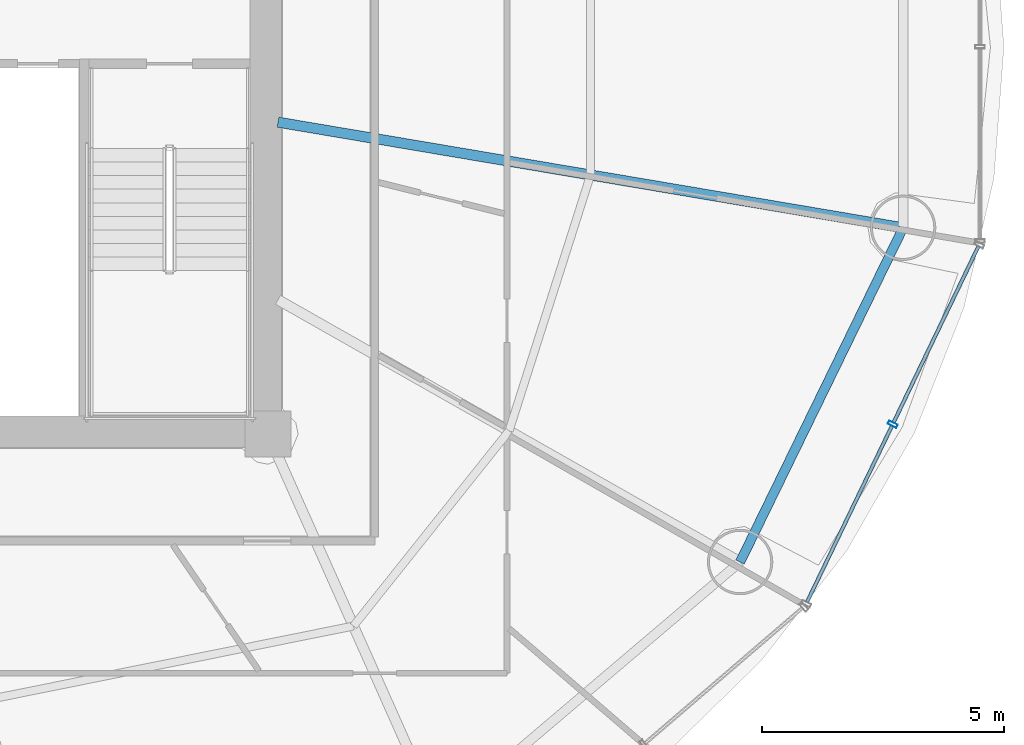
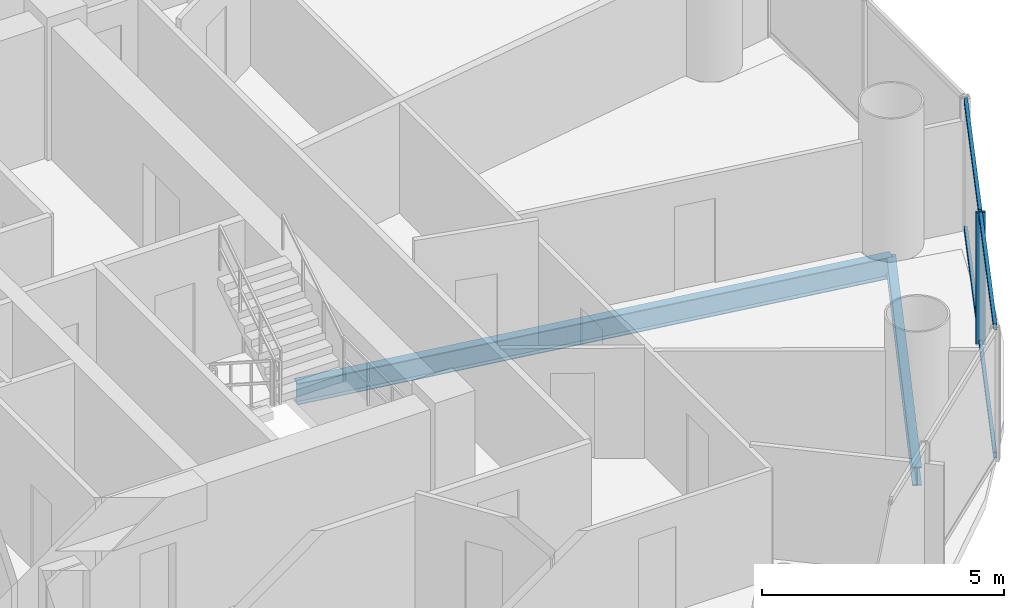
# One storey, part 11 of 26: 5 members, 2 beams, 1 element without a shape of its own.
"""IFC4 building model written with IfcOpenShell, lengths in metres."""

import ifcopenshell
import ifcopenshell.guid

model = None  # the IFC model being written
_history = None  # IfcOwnerHistory: only IFC2X3 demands one
_inside = {}  # id of a spatial element -> (the spatial element, [elements in it])
_under = {}  # id of a project, library or spatial element -> (it, [spatial elements below it])
_declared = {}  # id of a project -> (the project, [libraries it declares])
_typed = {}  # id of a type object -> (the type object, [elements of that type])
_made_of = {}  # id of a material, layer set ... -> (it, [elements and type objects made of it])


def new_model(schema):
    """Start an empty IFC model of exactly this schema.

    Asked for "IFC4X3", IfcOpenShell would pick the latest addendum, in which some entities
    have other attributes; the version numbers below select the first issue.
    IFC2X3 requires an IfcOwnerHistory on every rooted entity: one is made here for all.
    """
    global model, _history
    if schema == "IFC4X3":
        model = ifcopenshell.file(schema_version=(4, 3, 0, 0))
    else:
        model = ifcopenshell.file(schema=schema)
    _inside.clear()
    _under.clear()
    _declared.clear()
    _typed.clear()
    _made_of.clear()
    _history = None
    if model.schema == "IFC2X3":
        org = make("IfcOrganization", Name="unknown")
        user = make(
            "IfcPersonAndOrganization",
            ThePerson=make("IfcPerson", FamilyName="unknown"),
            TheOrganization=org,
        )
        app = make(
            "IfcApplication",
            ApplicationDeveloper=org,
            Version="unknown",
            ApplicationFullName="unknown",
            ApplicationIdentifier="unknown",
        )
        _history = make(
            "IfcOwnerHistory",
            OwningUser=user,
            OwningApplication=app,
            ChangeAction="ADDED",
            CreationDate=0,
        )
    return model


def make(cls, **values):
    """One entity of the class cls with the attributes given. An attribute that is None is left unset."""
    return model.create_entity(
        cls, **{name: value for name, value in values.items() if value is not None}
    )


def rooted(cls, **values):
    """An entity with a GlobalId (a new one), such as an element, a storey or a relation."""
    return make(cls, GlobalId=ifcopenshell.guid.new(), OwnerHistory=_history, **values)


def si_unit(unit_type, name, prefix=None):
    """IfcSIUnit, for example si_unit("LENGTHUNIT", "METRE", prefix="MILLI")."""
    return make("IfcSIUnit", UnitType=unit_type, Prefix=prefix, Name=name)


def assignment(units):
    """IfcUnitAssignment: the units of a project."""
    return None if units is None else make("IfcUnitAssignment", Units=units)


def point(xyz):
    """IfcCartesianPoint."""
    return None if xyz is None else make("IfcCartesianPoint", Coordinates=xyz)


def direction(xyz):
    """IfcDirection."""
    return None if xyz is None else make("IfcDirection", DirectionRatios=xyz)


def frame(location, z_axis=None, x_axis=None):
    """IfcAxis2Placement3D, a coordinate frame: its origin and axes. An axis left out is left unset."""
    return make(
        "IfcAxis2Placement3D",
        Location=point(location),
        Axis=direction(z_axis),
        RefDirection=direction(x_axis),
    )


def frame_2d(location, x_axis=None):
    """IfcAxis2Placement2D, a coordinate frame in the plane: its origin and x axis."""
    return make(
        "IfcAxis2Placement2D", Location=point(location), RefDirection=direction(x_axis)
    )


def origin():
    """The frame at (0, 0, 0) with its axes left unset."""
    return frame((0.0, 0.0, 0.0))


def origin_2d():
    """The frame at (0, 0) in the plane with its x axis left unset."""
    return frame_2d((0.0, 0.0))


def place(relative_to, where):
    """IfcLocalPlacement: puts the frame where relative to a parent placement (None: the world)."""
    return make(
        "IfcLocalPlacement", PlacementRelTo=relative_to, RelativePlacement=where
    )


def context(
    kind, dimensions, precision=None, world=None, true_north=None, identifier=None
):
    """IfcGeometricRepresentationContext, for example the 3D "Model" context."""
    return make(
        "IfcGeometricRepresentationContext",
        ContextIdentifier=identifier,
        ContextType=kind,
        CoordinateSpaceDimension=dimensions,
        Precision=precision,
        WorldCoordinateSystem=world,
        TrueNorth=true_north,
    )


def subcontext(parent, identifier, kind, view, scale=None):
    """IfcGeometricRepresentationSubContext, for example "Body" below "Model"."""
    return make(
        "IfcGeometricRepresentationSubContext",
        ContextIdentifier=identifier,
        ContextType=kind,
        ParentContext=parent,
        TargetScale=scale,
        TargetView=view,
    )


def project(units=None, contexts=None):
    """IfcProject with its units and contexts."""
    return rooted(
        "IfcProject",
        Name="project",
        RepresentationContexts=contexts,
        UnitsInContext=assignment(units),
    )


def spatial(cls, under=None, at=None, **own):
    """A site, building, storey or space (cls), placed at a placement, below another one or the project."""
    s = rooted(cls, ObjectPlacement=at, **own)
    if under is not None:
        _under.setdefault(under.id(), (under, []))[1].append(s)
    return s


def profile(cls, at=None, kind="AREA", **sizes):
    """A parametric profile (cls). Its sizes go by their IFC names, for example OverallWidth=200.0."""
    return make(cls, ProfileType=kind, Position=at, **sizes)


def hollow_rectangle(**sizes):
    """IfcRectangleHollowProfileDef."""
    return profile("IfcRectangleHollowProfileDef", **sizes)


def i_section(**sizes):
    """IfcIShapeProfileDef."""
    return profile("IfcIShapeProfileDef", **sizes)


def extrude(swept, where, along, depth):
    """IfcExtrudedAreaSolid: the profile swept, set in the frame where, extruded along a direction by depth."""
    return make(
        "IfcExtrudedAreaSolid",
        SweptArea=swept,
        Position=where,
        ExtrudedDirection=direction(along),
        Depth=depth,
    )


def shape(context_of_items, identifier, shape_type, items):
    """IfcShapeRepresentation: the items that make up one representation, for example the "Body"."""
    return make(
        "IfcShapeRepresentation",
        ContextOfItems=context_of_items,
        RepresentationIdentifier=identifier,
        RepresentationType=shape_type,
        Items=items,
    )


def source(mapping_origin, context_of_items, identifier, shape_type, items):
    """IfcRepresentationMap: a shape defined once, which mapped items show again and again."""
    return make(
        "IfcRepresentationMap",
        MappingOrigin=mapping_origin,
        MappedRepresentation=shape(context_of_items, identifier, shape_type, items),
    )


def transform(
    local_origin,
    x_axis=None,
    y_axis=None,
    z_axis=None,
    scale=None,
    scale2=None,
    scale3=None,
    uniform=True,
):
    """IfcCartesianTransformationOperator3D, or its non-uniform kind. x_axis, y_axis, z_axis: its Axis1, 2, 3."""
    if uniform:
        return make(
            "IfcCartesianTransformationOperator3D",
            Axis1=direction(x_axis),
            Axis2=direction(y_axis),
            LocalOrigin=point(local_origin),
            Scale=scale,
            Axis3=direction(z_axis),
        )
    return make(
        "IfcCartesianTransformationOperator3DnonUniform",
        Axis1=direction(x_axis),
        Axis2=direction(y_axis),
        LocalOrigin=point(local_origin),
        Scale=scale,
        Axis3=direction(z_axis),
        Scale2=scale2,
        Scale3=scale3,
    )


def mapped(mapping_source, mapping_target):
    """IfcMappedItem: shows the shape of a source again, moved by a transform."""
    return make(
        "IfcMappedItem", MappingSource=mapping_source, MappingTarget=mapping_target
    )


def material(Name=None, Category=None):
    """IfcMaterial."""
    return make("IfcMaterial", Name=Name, Category=Category)


def material_profile(
    of_material, cross_section, Name=None, Category=None, Priority=None
):
    """IfcMaterialProfile: a cross section and its material."""
    return make(
        "IfcMaterialProfile",
        Name=Name,
        Material=of_material,
        Profile=cross_section,
        Priority=Priority,
        Category=Category,
    )


def profile_set(profiles, Name=None, composite=None):
    """IfcMaterialProfileSet."""
    return make(
        "IfcMaterialProfileSet",
        Name=Name,
        MaterialProfiles=profiles,
        CompositeProfile=composite,
    )


def made_of(thing, what):
    """Note that an element or type object is made of a material, layer set ...; save() writes the relation."""
    if what is not None:
        _made_of.setdefault(what.id(), (what, []))[1].append(thing)
    return thing


def type_object(cls, material=None, **own):
    """A type object (cls), such as IfcWallType, which elements share."""
    return made_of(rooted(cls, **own), material)


def element(
    cls,
    number,
    at=None,
    inside=None,
    cuts=None,
    type_object=None,
    material=None,
    context=None,
    identifier="Body",
    shape_type=None,
    held_by="IfcProductDefinitionShape",
    body=None,
    shapes=None,
    **own,
):
    """One element of the class cls, such as IfcWall. Its Tag is "e" and its number.

    at: its placement. inside: the storey or other place that contains it. cuts: it is an
    opening in that element (IfcRelVoidsElement). A single representation is given by context,
    identifier, shape_type and body (its items); several are given by shapes. held_by: the class
    of the entity that holds the representations. save() writes the other relations.
    """
    e = rooted(cls, Tag="e%d" % number, ObjectPlacement=at, **own)
    if body is not None:
        shapes = [shape(context, identifier, shape_type, body)]
    if shapes is not None:
        e.Representation = make(held_by, Representations=shapes)
    if inside is not None:
        _inside.setdefault(inside.id(), (inside, []))[1].append(e)
    if cuts is not None:
        rooted(
            "IfcRelVoidsElement", RelatingBuildingElement=cuts, RelatedOpeningElement=e
        )
    if type_object is not None:
        _typed.setdefault(type_object.id(), (type_object, []))[1].append(e)
    return made_of(e, material)


def aggregate(whole, parts):
    """IfcRelAggregates: a whole, such as a stair, and the parts it consists of."""
    return rooted("IfcRelAggregates", RelatingObject=whole, RelatedObjects=parts)


def save(model, path):
    """Write the relations noted so far, then the file.

    IfcRelAggregates (storeys below a building ...), IfcRelContainedInSpatialStructure (elements
    in a storey), IfcRelDefinesByType, IfcRelAssociatesMaterial and IfcRelDeclares: one each for
    every whole, place, type object, material and project.
    """
    for whole, parts in _under.values():
        aggregate(whole, parts)
    for where, things in _inside.values():
        rooted(
            "IfcRelContainedInSpatialStructure",
            RelatedElements=things,
            RelatingStructure=where,
        )
    for kind, things in _typed.values():
        rooted("IfcRelDefinesByType", RelatedObjects=things, RelatingType=kind)
    for what, things in _made_of.values():
        rooted("IfcRelAssociatesMaterial", RelatedObjects=things, RelatingMaterial=what)
    for by, libraries in _declared.values():
        rooted("IfcRelDeclares", RelatingContext=by, RelatedDefinitions=libraries)
    model.write(path)


model = new_model("IFC4")

# Units and contexts
model_context = context("Model", 3, precision=1e-05, world=origin(), true_north=direction((-0.2419218956, 0.970295726276)))
body_context = subcontext(model_context, "Body", "Model", "MODEL_VIEW")
ifc_project = project(units=[si_unit("LENGTHUNIT", "METRE"), si_unit("AREAUNIT", "SQUARE_METRE"), si_unit("VOLUMEUNIT", "CUBIC_METRE"), si_unit("PLANEANGLEUNIT", "RADIAN"), si_unit("MASSUNIT", "GRAM", prefix="KILO")], contexts=[model_context])

# Site, building, storey
site_placement = place(None, origin())
site = spatial("IfcSite", under=ifc_project, at=site_placement, CompositionType="ELEMENT")
building_placement = place(site_placement, origin())
building = spatial("IfcBuilding", under=site, at=building_placement, Name="Cobrevalo Terracotta Tower", CompositionType="ELEMENT")
storey_placement = place(building_placement, frame((0.0, 0.0, 142.60009765625)))
storey = spatial("IfcBuildingStorey", under=building, at=storey_placement, Name="L37", CompositionType="ELEMENT", Elevation=142.60009765625)

# Beams
ifc_material_1 = material(Name="Steel S355", Category="steel")
ifc_material_profile_1 = material_profile(ifc_material_1, i_section(OverallWidth=0.2109375, OverallDepth=0.5390625, WebThickness=0.01171875, FlangeThickness=0.018798828125, at=origin_2d()), Name="W 530x109")
ifc_profile_set_1 = profile_set([ifc_material_profile_1], Name="Steel S355")
beam_type_1 = type_object("IfcBeamType", Name="Structural Beam W 530x109 (Steel S355)", PredefinedType="BEAM", material=ifc_profile_set_1)
beam_1_placement = place(storey_placement, frame((60.11669921875, 23.06396484375, -0.53955078125), z_axis=(-0.986029732232, 0.166569406417, 0.0), x_axis=(-0.166569406417, -0.986029732232, 0.0)))
element("IfcBeam", 1, at=beam_1_placement, inside=storey, type_object=beam_type_1, Name="L37 radial floor girder 16", PredefinedType="BEAM", context=body_context, shape_type="SweptSolid", body=[
    extrude(i_section(OverallWidth=0.2109375, OverallDepth=0.5390625, WebThickness=0.01171875, FlangeThickness=0.018798828125, at=origin_2d()), origin(), (0.0, 0.0, 1.0), 13.094482421875),
])
ifc_material_profile_2 = material_profile(ifc_material_1, i_section(OverallWidth=0.194091796875, OverallDepth=0.468994140625, WebThickness=0.011474609375, FlangeThickness=0.0205078125, at=origin_2d()), Name="W 460x106")
ifc_profile_set_2 = profile_set([ifc_material_profile_2], Name="Steel S355")
beam_type_2 = type_object("IfcBeamType", Name="Structural Spandrel W 460x106 (Steel S355)", PredefinedType="SPANDREL", material=ifc_profile_set_2)
beam_2_placement = place(storey_placement, frame((56.749755859375, 16.160888671875, -0.504638671875), z_axis=(0.438380418332, 0.898789524206, 0.0), x_axis=(-0.898789524206, 0.438380418332, 0.0)))
element("IfcBeam", 2, at=beam_2_placement, inside=storey, type_object=beam_type_2, Name="L37 perimeter ring spandrel 15", PredefinedType="SPANDREL", context=body_context, shape_type="SweptSolid", body=[
    extrude(i_section(OverallWidth=0.194091796875, OverallDepth=0.468994140625, WebThickness=0.011474609375, FlangeThickness=0.0205078125, at=origin_2d()), origin(), (0.0, 0.0, 1.0), 7.680419921875),
])

# Curtain wall, members
ifc_material_2 = material(Name="Anodized aluminium", Category="aluminium")
curtain_wall_type = type_object("IfcCurtainWallType", Name="Mid-tower high-wind unitised curtain wall CW-U2", PredefinedType="NOTDEFINED", material=ifc_material_2)
curtain_wall_placement = place(storey_placement, origin())
curtain_wall = element("IfcCurtainWall", 3, at=curtain_wall_placement, inside=storey, type_object=curtain_wall_type, Name="L37 curtain wall CW-L37-S15", PredefinedType="NOTDEFINED")
ifc_material_profile_3 = material_profile(ifc_material_2, hollow_rectangle(XDim=0.074951171875, YDim=0.14990234375, WallThickness=0.00439453125, at=origin_2d()), Name="CWT 75x150")
ifc_profile_set_3 = profile_set([ifc_material_profile_3], Name="Anodized aluminium")
member_type_1 = type_object("IfcMemberType", Name="Tower unitised aluminium transom 75x150", PredefinedType="USERDEFINED", material=ifc_profile_set_3)
shared_shape_1 = source(origin(), body_context, "Body", "SweptSolid", [
    extrude(hollow_rectangle(XDim=0.074951171875, YDim=0.14990234375, WallThickness=0.00439453125, at=origin_2d()), origin(), (0.0, 0.0, 1.0), 4.035888671875),
])
member_1_placement = place(storey_placement, frame((58.13134765625, 15.332763671875, 0.0498046875), z_axis=(0.434221176581, 0.900806288726, 0.0), x_axis=(-0.900806288726, 0.434221176581, 0.0)))
member_1 = element("IfcMember", 4, at=member_1_placement, type_object=member_type_1, Name="CW-L37-S15 transom B01-T1", ObjectType="TRANSOM", PredefinedType="USERDEFINED", context=body_context, shape_type="MappedRepresentation", body=[
    mapped(shared_shape_1, transform((0.0, 0.0, 0.0), scale=1.0)),
])
member_2_placement = place(storey_placement, frame((58.13134765625, 15.332763671875, 3.27978515625), z_axis=(0.434221176581, 0.900806288726, 0.0), x_axis=(-0.900806288726, 0.434221176581, 0.0)))
member_2 = element("IfcMember", 5, at=member_2_placement, type_object=member_type_1, Name="CW-L37-S15 transom B01-T2", ObjectType="TRANSOM", PredefinedType="USERDEFINED", context=body_context, shape_type="MappedRepresentation", body=[
    mapped(shared_shape_1, transform((0.0, 0.0, 0.0), scale=1.0)),
])
member_3_placement = place(storey_placement, frame((59.91845703125, 19.04052734375, 0.0498046875), z_axis=(0.434221176581, 0.900806288726, 0.0), x_axis=(-0.900806288726, 0.434221176581, 0.0)))
member_3 = element("IfcMember", 6, at=member_3_placement, type_object=member_type_1, Name="CW-L37-S15 transom B02-T1", ObjectType="TRANSOM", PredefinedType="USERDEFINED", context=body_context, shape_type="MappedRepresentation", body=[
    mapped(shared_shape_1, transform((0.0, 0.0, 0.0), scale=1.0)),
])
member_4_placement = place(storey_placement, frame((59.91845703125, 19.04052734375, 3.27978515625), z_axis=(0.434221176581, 0.900806288726, 0.0), x_axis=(-0.900806288726, 0.434221176581, 0.0)))
member_4 = element("IfcMember", 7, at=member_4_placement, type_object=member_type_1, Name="CW-L37-S15 transom B02-T2", ObjectType="TRANSOM", PredefinedType="USERDEFINED", context=body_context, shape_type="MappedRepresentation", body=[
    mapped(shared_shape_1, transform((0.0, 0.0, 0.0), scale=1.0)),
])
ifc_material_profile_4 = material_profile(ifc_material_2, hollow_rectangle(XDim=0.074951171875, YDim=0.199951171875, WallThickness=0.0048828125, at=origin_2d()), Name="CWM 75x200")
ifc_profile_set_4 = profile_set([ifc_material_profile_4], Name="Anodized aluminium")
member_type_2 = type_object("IfcMemberType", Name="Lower/mid tower unitised mullion 75x200", PredefinedType="MULLION", material=ifc_profile_set_4)
shared_shape_2 = source(origin(), body_context, "Body", "SweptSolid", [
    extrude(hollow_rectangle(XDim=0.074951171875, YDim=0.199951171875, WallThickness=0.0048828125, at=origin_2d()), origin(), (0.0, 0.0, 1.0), 3.329833984375),
])
member_5_placement = place(storey_placement, frame((59.901123046875, 19.00439453125, 0.0), z_axis=(0.0, 0.0, 1.0), x_axis=(0.434209440271, 0.900811945957, 0.0)))
member_5 = element("IfcMember", 8, at=member_5_placement, type_object=member_type_2, Name="CW-L37-S15 vertical mullion 02", PredefinedType="MULLION", context=body_context, shape_type="MappedRepresentation", body=[
    mapped(shared_shape_2, transform((0.0, 0.0, 0.0), scale=1.0)),
])
aggregate(curtain_wall, [member_5, member_1, member_2, member_3, member_4])

save(model, "model.ifc")
